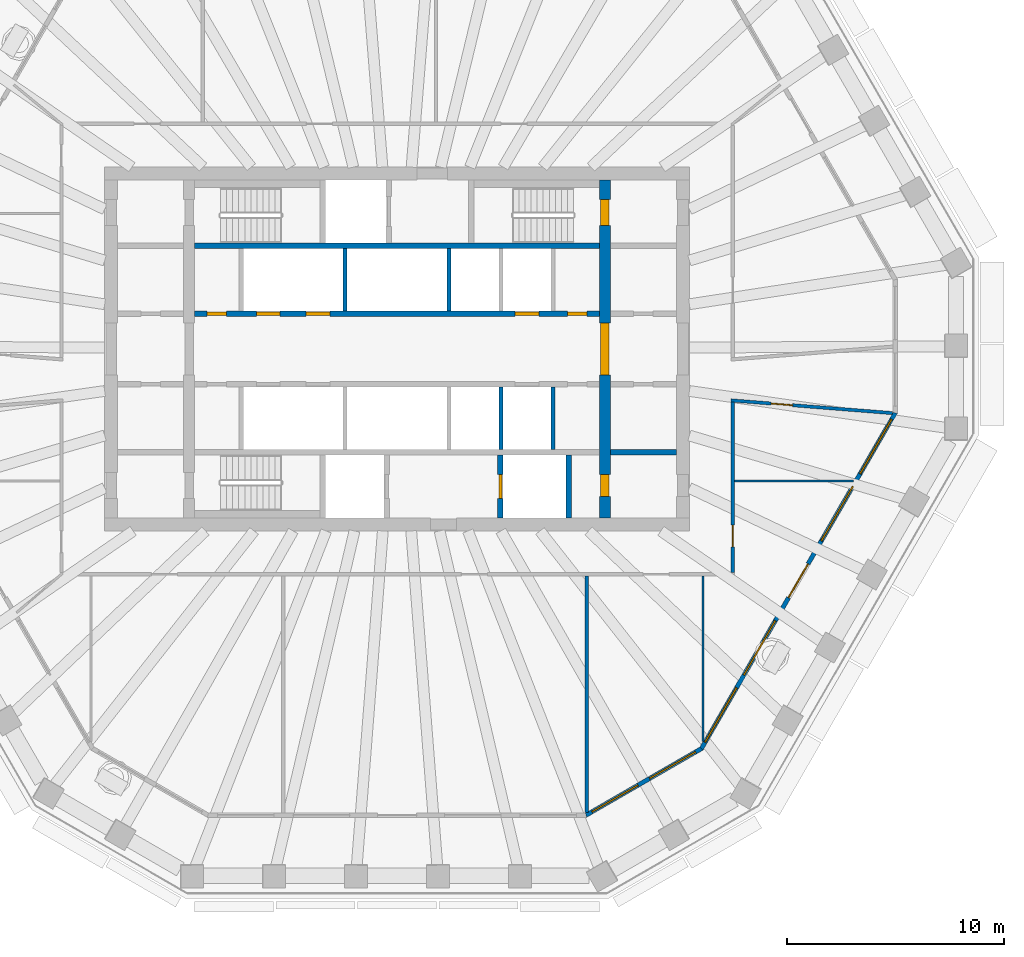
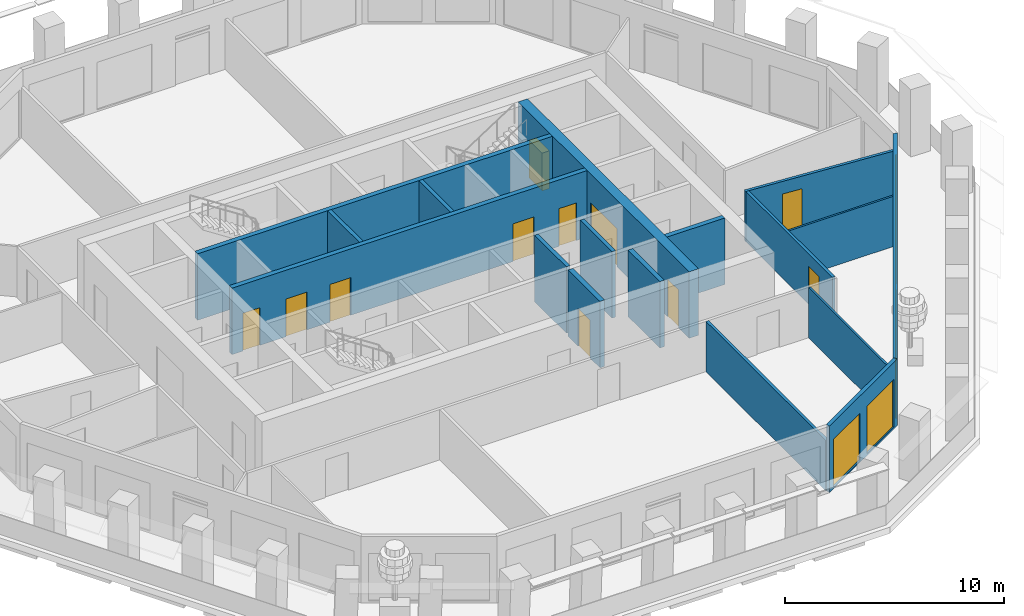
# One storey, part 5 of 12: 17 walls, 12 doors, 7 windows, 19 openings.
"""IFC4 building model written with IfcOpenShell, lengths in metres."""

from ifc_helpers import new_model, si_unit, direction, frame, frame_2d, origin, place, context, subcontext, project, spatial, polyline, rectangle, outline, extrude, material, layer, layer_set, type_object, element, fill, save


model = new_model("IFC4")

# Units and contexts
model_context = context("Model", 3, precision=1e-05, world=origin(), true_north=direction((0.0, 1.0)))
body_context = subcontext(model_context, "Body", "Model", "MODEL_VIEW")
ifc_project = project(units=[si_unit("LENGTHUNIT", "METRE"), si_unit("AREAUNIT", "SQUARE_METRE"), si_unit("VOLUMEUNIT", "CUBIC_METRE"), si_unit("PLANEANGLEUNIT", "RADIAN"), si_unit("MASSUNIT", "GRAM", prefix="KILO")], contexts=[model_context])

# Site, building, storey
site_placement = place(None, origin())
site = spatial("IfcSite", under=ifc_project, at=site_placement, CompositionType="ELEMENT")
building_placement = place(site_placement, origin())
building = spatial("IfcBuilding", under=site, at=building_placement, Name="Frailejon Research Tower", CompositionType="ELEMENT")
storey_placement = place(building_placement, frame((0.0, 0.0, 215.39990234375)))
storey = spatial("IfcBuildingStorey", under=building, at=storey_placement, Name="L46", CompositionType="ELEMENT", Elevation=215.39990234375)

# Wall, openings, doors
ifc_material_1 = material(Name="Concrete C60/75", Category="concrete")
ifc_layer_1 = layer(ifc_material_1, 0.5)
ifc_layer_set_1 = layer_set([ifc_layer_1], Name="Core shear wall 500 C60/75")
wall_type_1 = type_object("IfcWallType", Name="Core shear wall 500 C60/75", PredefinedType="SHEAR", material=ifc_layer_set_1)
wall_1_placement = place(storey_placement, frame((9.60009765625, -7.800048828125, 0.0), z_axis=(0.0, 0.0, 1.0), x_axis=(0.0, 1.0, 0.0)))
wall_1 = element("IfcWall", 1, at=wall_1_placement, inside=storey, type_object=wall_type_1, Name="Core shear wall", PredefinedType="SHEAR", context=body_context, shape_type="SweptSolid", body=[
    extrude(rectangle(XDim=15.60009765625, YDim=0.5, at=frame_2d((7.800048828125, 0.0))), origin(), (0.0, 0.0, 1.0), 3.7001953125),
])
opening_1_placement = place(wall_1_placement, frame((6.60009765625, 0.0, 0.0)))
opening_1 = element("IfcOpeningElement", 2, at=opening_1_placement, cuts=wall_1, Name="Opening D2", PredefinedType="OPENING", context=body_context, shape_type="SweptSolid", body=[
    extrude(rectangle(XDim=2.39990234375, YDim=2.10009765625, at=frame_2d((1.199951171875, 1.050048828125))), frame((0.0, 0.260009765625, 0.0), z_axis=(0.0, -1.0, 0.0), x_axis=(1.0, 0.0, 0.0)), (0.0, 0.0, 1.0), 0.52001953125),
])
opening_2_placement = place(wall_1_placement, frame((13.5, 0.0, 0.0)))
opening_2 = element("IfcOpeningElement", 3, at=opening_2_placement, cuts=wall_1, Name="Opening D1", PredefinedType="OPENING", context=body_context, shape_type="SweptSolid", body=[
    extrude(rectangle(XDim=1.199951171875, YDim=2.10009765625, at=frame_2d((0.60009765625, 1.050048828125))), frame((0.0, 0.260009765625, 0.0), z_axis=(0.0, -1.0, 0.0), x_axis=(1.0, 0.0, 0.0)), (0.0, 0.0, 1.0), 0.52001953125),
])
opening_3_placement = place(wall_1_placement, frame((1.0, 0.0, 0.0)))
opening_3 = element("IfcOpeningElement", 4, at=opening_3_placement, cuts=wall_1, Name="Opening D4", PredefinedType="OPENING", context=body_context, shape_type="SweptSolid", body=[
    extrude(rectangle(XDim=1.0, YDim=2.10009765625, at=frame_2d((0.5, 1.050048828125))), frame((0.0, 0.260009765625, 0.0), z_axis=(0.0, -1.0, 0.0), x_axis=(1.0, 0.0, 0.0)), (0.0, 0.0, 1.0), 0.52001953125),
])
ifc_material_2 = material(Name="Steel", Category="steel")
door_type_1 = type_object("IfcDoorType", Name="Lobby double door", OperationType="DOUBLE_DOOR_SINGLE_SWING", PredefinedType="DOOR", material=ifc_material_2)
door_1_placement = place(opening_1_placement, origin())
door_1 = element("IfcDoor", 5, at=door_1_placement, inside=storey, type_object=door_type_1, Name="Lobby door", OperationType="DOUBLE_DOOR_SINGLE_SWING", OverallHeight=2.10009765625, OverallWidth=2.39990234375, PredefinedType="DOOR", context=body_context, shape_type="SweptSolid", body=[
    extrude(rectangle(XDim=2.39990234375, YDim=2.10009765625, at=frame_2d((1.199951171875, 1.050048828125))), frame((0.0, 0.199951171875, 0.0), z_axis=(0.0, -1.0, 0.0), x_axis=(1.0, 0.0, 0.0)), (0.0, 0.0, 1.0), 0.39990234375),
])
fill(opening_1, door_1)
ifc_material_3 = material(Name="Steel", Category="steel")
door_type_2 = type_object("IfcDoorType", Name="Service door", OperationType="SINGLE_SWING_LEFT", PredefinedType="DOOR", material=ifc_material_3)
door_2_placement = place(opening_3_placement, origin())
door_2 = element("IfcDoor", 6, at=door_2_placement, inside=storey, type_object=door_type_2, Name="Riser door", OperationType="SINGLE_SWING_RIGHT", OverallHeight=2.10009765625, OverallWidth=1.0, PredefinedType="DOOR", context=body_context, shape_type="SweptSolid", body=[
    extrude(rectangle(XDim=1.0, YDim=2.10009765625, at=frame_2d((0.5, 1.050048828125))), frame((0.0, 0.199951171875, 0.0), z_axis=(0.0, -1.0, 0.0), x_axis=(1.0, 0.0, 0.0)), (0.0, 0.0, 1.0), 0.39990234375),
])
fill(opening_3, door_2)
ifc_material_4 = material(Name="Steel", Category="steel")
door_type_3 = type_object("IfcDoorType", Name="Stair door", OperationType="SINGLE_SWING_LEFT", PredefinedType="DOOR", material=ifc_material_4)
door_3_placement = place(opening_2_placement, origin())
door_3 = element("IfcDoor", 7, at=door_3_placement, inside=storey, type_object=door_type_3, Name="Stair door ST3", OperationType="SINGLE_SWING_RIGHT", OverallHeight=2.10009765625, OverallWidth=1.199951171875, PredefinedType="DOOR", context=body_context, shape_type="SweptSolid", body=[
    extrude(rectangle(XDim=1.199951171875, YDim=2.10009765625, at=frame_2d((0.60009765625, 1.050048828125))), frame((0.0, 0.199951171875, 0.0), z_axis=(0.0, -1.0, 0.0), x_axis=(1.0, 0.0, 0.0)), (0.0, 0.0, 1.0), 0.39990234375),
])
fill(opening_2, door_3)

# Wall, opening, door
ifc_material_5 = material(Name="Gypsum board and masonry partition", Category="masonry")
ifc_layer_2 = layer(ifc_material_5, 0.14990234375)
ifc_layer_set_2 = layer_set([ifc_layer_2], Name="Corridor wall EI 60, gypsum on steel studs 150")
wall_type_2 = type_object("IfcWallType", Name="Corridor wall EI 60, gypsum on steel studs 150", PredefinedType="PARTITIONING", material=ifc_layer_set_2)
wall_2_placement = place(storey_placement, frame((15.5, -10.324951171875, 0.0), z_axis=(0.0, 0.0, 1.0), x_axis=(0.0, 1.0, 0.0)))
wall_2 = element("IfcWall", 8, at=wall_2_placement, inside=storey, type_object=wall_type_2, Name="T:IW:L46:001", PredefinedType="PARTITIONING", context=body_context, shape_type="SweptSolid", body=[
    extrude(rectangle(XDim=7.8740234375, YDim=0.14990234375, at=frame_2d((3.93701171875, 0.0))), origin(), (0.0, 0.0, 1.0), 2.800048828125),
])
opening_4_placement = place(wall_2_placement, frame((1.189697265625, 0.0, 0.0)))
opening_4 = element("IfcOpeningElement", 9, at=opening_4_placement, cuts=wall_2, Name="Opening D1960", PredefinedType="OPENING", context=body_context, shape_type="SweptSolid", body=[
    extrude(rectangle(XDim=1.0, YDim=2.10009765625, at=frame_2d((0.5, 1.050048828125))), frame((0.0, 0.0849609375, 0.0), z_axis=(0.0, -1.0, 0.0), x_axis=(1.0, 0.0, 0.0)), (0.0, 0.0, 1.0), 0.169921875),
])
ifc_material_6 = material(Name="Timber door leaf", Category="wood")
door_type_4 = type_object("IfcDoorType", Name="Door single leaf, timber, steel frame 1000", OperationType="NOTDEFINED", PredefinedType="DOOR", material=ifc_material_6)
door_4_placement = place(opening_4_placement, origin())
door_4 = element("IfcDoor", 10, at=door_4_placement, inside=storey, type_object=door_type_4, Name="D1960", OperationType="SINGLE_SWING_RIGHT", OverallHeight=2.10009765625, OverallWidth=1.0, PredefinedType="DOOR", context=body_context, shape_type="SweptSolid", body=[
    extrude(rectangle(XDim=1.0, YDim=2.10009765625, at=frame_2d((0.5, 1.050048828125))), frame((0.0, 0.02490234375, 0.0), z_axis=(0.0, -1.0, 0.0), x_axis=(1.0, 0.0, 0.0)), (0.0, 0.0, 1.0), 0.050048828125),
])
fill(opening_4, door_4)

wall_3_placement = place(storey_placement, frame((15.42529296875, -2.3701171875, 0.0), z_axis=(0.0, 0.0, 1.0), x_axis=(0.996886755429, -0.078846666706, 0.0)))
wall_3 = element("IfcWall", 11, at=wall_3_placement, inside=storey, type_object=wall_type_2, Name="T:IW:L46:010", PredefinedType="PARTITIONING", context=body_context, shape_type="SweptSolid", body=[
    extrude(rectangle(XDim=7.48388671875, YDim=0.14990234375, at=frame_2d((3.741943359375, 0.0))), origin(), (0.0, 0.0, 1.0), 2.800048828125),
])
opening_5_placement = place(wall_3_placement, frame((1.852294921875, 0.0, 0.0)))
opening_5 = element("IfcOpeningElement", 12, at=opening_5_placement, cuts=wall_3, Name="Opening D1961", PredefinedType="OPENING", context=body_context, shape_type="SweptSolid", body=[
    extrude(rectangle(XDim=1.0, YDim=2.10009765625, at=frame_2d((0.5, 1.050048828125))), frame((0.0, 0.0849609375, 0.0), z_axis=(0.0, -1.0, 0.0), x_axis=(1.0, 0.0, 0.0)), (0.0, 0.0, 1.0), 0.169921875),
])
door_5_placement = place(opening_5_placement, origin())
door_5 = element("IfcDoor", 13, at=door_5_placement, inside=storey, type_object=door_type_4, Name="D1961", OperationType="SINGLE_SWING_RIGHT", OverallHeight=2.10009765625, OverallWidth=1.0, PredefinedType="DOOR", context=body_context, shape_type="SweptSolid", body=[
    extrude(rectangle(XDim=1.0, YDim=2.10009765625, at=frame_2d((0.5, 1.050048828125))), frame((0.0, 0.02490234375, 0.0), z_axis=(0.0, -1.0, 0.0), x_axis=(1.0, 0.0, 0.0)), (0.0, 0.0, 1.0), 0.050048828125),
])
fill(opening_5, door_5)

# Walls
ifc_material_7 = material(Name="Gypsum board and masonry partition", Category="masonry")
ifc_layer_3 = layer(ifc_material_7, 0.14990234375)
ifc_layer_set_3 = layer_set([ifc_layer_3], Name="Laboratory partition, blockwork 150")
wall_type_3 = type_object("IfcWallType", Name="Laboratory partition, blockwork 150", PredefinedType="PARTITIONING", material=ifc_layer_set_3)
wall_4_placement = place(storey_placement, frame((8.757080078125, -21.394775390625, 0.0), z_axis=(0.0, 0.0, 1.0), x_axis=(0.0, 1.0, 0.0)))
element("IfcWall", 14, at=wall_4_placement, inside=storey, type_object=wall_type_3, Name="T:IW:L46:014", PredefinedType="PARTITIONING", context=body_context, shape_type="SweptSolid", body=[
    extrude(rectangle(XDim=10.919677734375, YDim=0.14990234375, at=frame_2d((5.4599609375, 0.0))), origin(), (0.0, 0.0, 1.0), 2.800048828125),
])
ifc_material_8 = material(Name="Gypsum board and masonry partition", Category="masonry")
ifc_layer_4 = layer(ifc_material_8, 0.10009765625)
ifc_layer_set_4 = layer_set([ifc_layer_4], Name="Partition, gypsum on steel studs 100")
wall_type_4 = type_object("IfcWallType", Name="Partition, gypsum on steel studs 100", PredefinedType="PARTITIONING", material=ifc_layer_set_4)
wall_5_placement = place(storey_placement, frame((15.574951171875, -6.08642578125, 0.0), z_axis=(0.0, 0.0, 1.0), x_axis=(1.0, 0.0, 0.0)))
element("IfcWall", 15, at=wall_5_placement, inside=storey, type_object=wall_type_4, Name="T:IW:L46:019", PredefinedType="PARTITIONING", context=body_context, shape_type="SweptSolid", body=[
    extrude(rectangle(XDim=5.506103515625, YDim=0.10009765625, at=frame_2d((2.7529296875, 0.0))), origin(), (0.0, 0.0, 1.0), 2.800048828125),
])
wall_6_placement = place(storey_placement, frame((14.132080078125, -18.122314453125, 0.0), z_axis=(0.0, 0.0, 1.0), x_axis=(0.0, 1.0, 0.0)))
element("IfcWall", 16, at=wall_6_placement, inside=storey, type_object=wall_type_4, Name="T:IW:L46:022", PredefinedType="PARTITIONING", context=body_context, shape_type="SweptSolid", body=[
    extrude(rectangle(XDim=7.647216796875, YDim=0.10009765625, at=frame_2d((3.82373046875, 0.0))), origin(), (0.0, 0.0, 1.0), 2.800048828125),
])
ifc_material_9 = material(Name="Concrete C60/75", Category="concrete")
ifc_layer_5 = layer(ifc_material_9, 0.199951171875)
ifc_layer_set_5 = layer_set([ifc_layer_5], Name="Shaft wall 200 C60/75")
wall_type_5 = type_object("IfcWallType", Name="Shaft wall 200 C60/75", PredefinedType="SOLIDWALL", material=ifc_layer_set_5)
for number, where, z_axis, x_axis, name in (
    (17, (-2.39990234375, 1.75, 0.0), (0.0, 0.0, 1.0), (0.0, 1.0, 0.0), "Shaft wall"),
    (18, (2.39990234375, 1.75, 0.0), (0.0, 0.0, 1.0), (0.0, 1.0, 0.0), "Shaft wall"),
    (19, (4.800048828125, -4.64990234375, 0.0), (0.0, 0.0, 1.0), (0.0, 1.0, 0.0), "Shaft wall"),
    (20, (7.199951171875, -4.64990234375, 0.0), (0.0, 0.0, 1.0), (0.0, 1.0, 0.0), "Shaft wall"),
):
    element("IfcWall", number, at=place(storey_placement, frame(where, z_axis=z_axis, x_axis=x_axis)), inside=storey, type_object=wall_type_5, Name=name, PredefinedType="SOLIDWALL", context=body_context, shape_type="SweptSolid", body=[
        extrude(rectangle(XDim=2.89990234375, YDim=0.199951171875, at=frame_2d((1.449951171875, 0.0))), origin(), (0.0, 0.0, 1.0), 3.7001953125),
    ])

# Wall, openings, doors
ifc_material_10 = material(Name="Concrete C60/75", Category="concrete")
ifc_layer_6 = layer(ifc_material_10, 0.25)
ifc_layer_set_6 = layer_set([ifc_layer_6], Name="Shaft wall 250 C60/75")
wall_type_6 = type_object("IfcWallType", Name="Shaft wall 250 C60/75", PredefinedType="SOLIDWALL", material=ifc_layer_set_6)
wall_7_placement = place(storey_placement, frame((-9.35009765625, 1.625, 0.0), z_axis=(0.0, 0.0, 1.0), x_axis=(1.0, 0.0, 0.0)))
wall_7 = element("IfcWall", 21, at=wall_7_placement, inside=storey, type_object=wall_type_6, Name="Shaft wall", PredefinedType="SOLIDWALL", context=body_context, shape_type="SweptSolid", body=[
    extrude(rectangle(XDim=18.7001953125, YDim=0.25, at=frame_2d((9.35009765625, 0.0))), origin(), (0.0, 0.0, 1.0), 3.7001953125),
])
opening_6_placement = place(wall_7_placement, frame((2.85009765625, 0.0, 0.0)))
opening_6 = element("IfcOpeningElement", 22, at=opening_6_placement, cuts=wall_7, Name="Opening LD", PredefinedType="OPENING", context=body_context, shape_type="SweptSolid", body=[
    extrude(rectangle(XDim=1.10009765625, YDim=2.10009765625, at=frame_2d((0.550048828125, 1.050048828125))), frame((0.0, 0.135009765625, 0.0), z_axis=(0.0, -1.0, 0.0), x_axis=(1.0, 0.0, 0.0)), (0.0, 0.0, 1.0), 0.27001953125),
])
opening_7_placement = place(wall_7_placement, frame((5.14990234375, 0.0, 0.0)))
opening_7 = element("IfcOpeningElement", 23, at=opening_7_placement, cuts=wall_7, Name="Opening LD", PredefinedType="OPENING", context=body_context, shape_type="SweptSolid", body=[
    extrude(rectangle(XDim=1.10009765625, YDim=2.10009765625, at=frame_2d((0.550048828125, 1.050048828125))), frame((0.0, 0.135009765625, 0.0), z_axis=(0.0, -1.0, 0.0), x_axis=(1.0, 0.0, 0.0)), (0.0, 0.0, 1.0), 0.27001953125),
])
opening_8_placement = place(wall_7_placement, frame((14.800048828125, 0.0, 0.0)))
opening_8 = element("IfcOpeningElement", 24, at=opening_8_placement, cuts=wall_7, Name="Opening LD", PredefinedType="OPENING", context=body_context, shape_type="SweptSolid", body=[
    extrude(rectangle(XDim=1.10009765625, YDim=2.10009765625, at=frame_2d((0.550048828125, 1.050048828125))), frame((0.0, 0.135009765625, 0.0), z_axis=(0.0, -1.0, 0.0), x_axis=(1.0, 0.0, 0.0)), (0.0, 0.0, 1.0), 0.27001953125),
])
opening_9_placement = place(wall_7_placement, frame((0.574951171875, 0.0, 0.0)))
opening_9 = element("IfcOpeningElement", 25, at=opening_9_placement, cuts=wall_7, Name="Opening D8", PredefinedType="OPENING", context=body_context, shape_type="SweptSolid", body=[
    extrude(rectangle(XDim=0.89990234375, YDim=2.10009765625, at=frame_2d((0.449951171875, 1.050048828125))), frame((0.0, 0.135009765625, 0.0), z_axis=(0.0, -1.0, 0.0), x_axis=(1.0, 0.0, 0.0)), (0.0, 0.0, 1.0), 0.27001953125),
])
opening_10_placement = place(wall_7_placement, frame((17.22509765625, 0.0, 0.0)))
opening_10 = element("IfcOpeningElement", 26, at=opening_10_placement, cuts=wall_7, Name="Opening D8", PredefinedType="OPENING", context=body_context, shape_type="SweptSolid", body=[
    extrude(rectangle(XDim=0.89990234375, YDim=2.10009765625, at=frame_2d((0.449951171875, 1.050048828125))), frame((0.0, 0.135009765625, 0.0), z_axis=(0.0, -1.0, 0.0), x_axis=(1.0, 0.0, 0.0)), (0.0, 0.0, 1.0), 0.27001953125),
])
ifc_material_11 = material(Name="Steel", Category="steel")
door_type_5 = type_object("IfcDoorType", Name="Core room door", OperationType="SINGLE_SWING_LEFT", PredefinedType="DOOR", material=ifc_material_11)
door_6_placement = place(opening_9_placement, origin())
door_6 = element("IfcDoor", 27, at=door_6_placement, inside=storey, type_object=door_type_5, Name="Room door", OperationType="SINGLE_SWING_LEFT", OverallHeight=2.10009765625, OverallWidth=0.89990234375, PredefinedType="DOOR", context=body_context, shape_type="SweptSolid", body=[
    extrude(rectangle(XDim=0.89990234375, YDim=2.10009765625, at=frame_2d((0.449951171875, 1.050048828125))), frame((0.0, 0.074951171875, 0.0), z_axis=(0.0, -1.0, 0.0), x_axis=(1.0, 0.0, 0.0)), (0.0, 0.0, 1.0), 0.14990234375),
])
fill(opening_9, door_6)
door_7_placement = place(opening_10_placement, origin())
door_7 = element("IfcDoor", 28, at=door_7_placement, inside=storey, type_object=door_type_5, Name="Room door", OperationType="SINGLE_SWING_RIGHT", OverallHeight=2.10009765625, OverallWidth=0.89990234375, PredefinedType="DOOR", context=body_context, shape_type="SweptSolid", body=[
    extrude(rectangle(XDim=0.89990234375, YDim=2.10009765625, at=frame_2d((0.449951171875, 1.050048828125))), frame((0.0, 0.074951171875, 0.0), z_axis=(0.0, -1.0, 0.0), x_axis=(1.0, 0.0, 0.0)), (0.0, 0.0, 1.0), 0.14990234375),
])
fill(opening_10, door_7)
ifc_material_12 = material(Name="Steel", Category="steel")
door_type_6 = type_object("IfcDoorType", Name="Lift landing door", OperationType="DOUBLE_DOOR_SLIDING", PredefinedType="DOOR", material=ifc_material_12)
door_8_placement = place(opening_6_placement, origin())
door_8 = element("IfcDoor", 29, at=door_8_placement, inside=storey, type_object=door_type_6, Name="Lift landing door", OperationType="DOUBLE_DOOR_SLIDING", OverallHeight=2.10009765625, OverallWidth=1.10009765625, PredefinedType="DOOR", context=body_context, shape_type="SweptSolid", body=[
    extrude(rectangle(XDim=1.10009765625, YDim=2.10009765625, at=frame_2d((0.550048828125, 1.050048828125))), frame((0.0, 0.074951171875, 0.0), z_axis=(0.0, -1.0, 0.0), x_axis=(1.0, 0.0, 0.0)), (0.0, 0.0, 1.0), 0.14990234375),
])
fill(opening_6, door_8)
door_9_placement = place(opening_7_placement, origin())
door_9 = element("IfcDoor", 30, at=door_9_placement, inside=storey, type_object=door_type_6, Name="Lift landing door", OperationType="DOUBLE_DOOR_SLIDING", OverallHeight=2.10009765625, OverallWidth=1.10009765625, PredefinedType="DOOR", context=body_context, shape_type="SweptSolid", body=[
    extrude(rectangle(XDim=1.10009765625, YDim=2.10009765625, at=frame_2d((0.550048828125, 1.050048828125))), frame((0.0, 0.074951171875, 0.0), z_axis=(0.0, -1.0, 0.0), x_axis=(1.0, 0.0, 0.0)), (0.0, 0.0, 1.0), 0.14990234375),
])
fill(opening_7, door_9)
door_10_placement = place(opening_8_placement, origin())
door_10 = element("IfcDoor", 31, at=door_10_placement, inside=storey, type_object=door_type_6, Name="Lift landing door", OperationType="DOUBLE_DOOR_SLIDING", OverallHeight=2.10009765625, OverallWidth=1.10009765625, PredefinedType="DOOR", context=body_context, shape_type="SweptSolid", body=[
    extrude(rectangle(XDim=1.10009765625, YDim=2.10009765625, at=frame_2d((0.550048828125, 1.050048828125))), frame((0.0, 0.074951171875, 0.0), z_axis=(0.0, -1.0, 0.0), x_axis=(1.0, 0.0, 0.0)), (0.0, 0.0, 1.0), 0.14990234375),
])
fill(opening_8, door_10)

# Walls
wall_8_placement = place(storey_placement, frame((-9.35009765625, 4.77490234375, 0.0), z_axis=(0.0, 0.0, 1.0), x_axis=(1.0, 0.0, 0.0)))
element("IfcWall", 32, at=wall_8_placement, inside=storey, type_object=wall_type_6, Name="Shaft wall", PredefinedType="SOLIDWALL", context=body_context, shape_type="SweptSolid", body=[
    extrude(rectangle(XDim=18.7001953125, YDim=0.25, at=frame_2d((9.35009765625, 0.0))), origin(), (0.0, 0.0, 1.0), 3.7001953125),
])
wall_9_placement = place(storey_placement, frame((9.85009765625, -4.77490234375, 0.0), z_axis=(0.0, 0.0, 1.0), x_axis=(1.0, 0.0, 0.0)))
element("IfcWall", 33, at=wall_9_placement, inside=storey, type_object=wall_type_6, Name="Shaft wall", PredefinedType="SOLIDWALL", context=body_context, shape_type="SweptSolid", body=[
    extrude(rectangle(XDim=3.0498046875, YDim=0.25, at=frame_2d((1.52490234375, 0.0))), origin(), (0.0, 0.0, 1.0), 3.7001953125),
])

# Wall, opening, door
wall_10_placement = place(storey_placement, frame((4.77490234375, -7.800048828125, 0.0), z_axis=(0.0, 0.0, 1.0), x_axis=(0.0, 1.0, 0.0)))
wall_10 = element("IfcWall", 34, at=wall_10_placement, inside=storey, type_object=wall_type_6, Name="Shaft wall", PredefinedType="SOLIDWALL", context=body_context, shape_type="SweptSolid", body=[
    extrude(rectangle(XDim=2.900146484375, YDim=0.25, at=frame_2d((1.4501953125, 0.0))), origin(), (0.0, 0.0, 1.0), 3.7001953125),
])
opening_11_placement = place(wall_10_placement, frame((0.89990234375, 0.0, 0.0)))
opening_11 = element("IfcOpeningElement", 35, at=opening_11_placement, cuts=wall_10, Name="Opening LD", PredefinedType="OPENING", context=body_context, shape_type="SweptSolid", body=[
    extrude(rectangle(XDim=1.10009765625, YDim=2.10009765625, at=frame_2d((0.550048828125, 1.050048828125))), frame((0.0, 0.135009765625, 0.0), z_axis=(0.0, -1.0, 0.0), x_axis=(1.0, 0.0, 0.0)), (0.0, 0.0, 1.0), 0.27001953125),
])
door_11_placement = place(opening_11_placement, origin())
door_11 = element("IfcDoor", 36, at=door_11_placement, inside=storey, type_object=door_type_6, Name="Lift landing door", OperationType="DOUBLE_DOOR_SLIDING", OverallHeight=2.10009765625, OverallWidth=1.10009765625, PredefinedType="DOOR", context=body_context, shape_type="SweptSolid", body=[
    extrude(rectangle(XDim=1.10009765625, YDim=2.10009765625, at=frame_2d((0.550048828125, 1.050048828125))), frame((0.0, 0.074951171875, 0.0), z_axis=(0.0, -1.0, 0.0), x_axis=(1.0, 0.0, 0.0)), (0.0, 0.0, 1.0), 0.14990234375),
])
fill(opening_11, door_11)

# Wall
wall_11_placement = place(storey_placement, frame((7.925048828125, -7.800048828125, 0.0), z_axis=(0.0, 0.0, 1.0), x_axis=(0.0, 1.0, 0.0)))
element("IfcWall", 37, at=wall_11_placement, inside=storey, type_object=wall_type_6, Name="Shaft wall", PredefinedType="SOLIDWALL", context=body_context, shape_type="SweptSolid", body=[
    extrude(rectangle(XDim=2.900146484375, YDim=0.25, at=frame_2d((1.4501953125, 0.0))), origin(), (0.0, 0.0, 1.0), 3.7001953125),
])

# Wall, openings, windows
ifc_material_13 = material(Name="Concrete C40/50 precast window wall panel", Category="concrete")
ifc_layer_7 = layer(ifc_material_13, 0.199951171875)
ifc_layer_set_7 = layer_set([ifc_layer_7], Name="Window wall 200")
wall_type_7 = type_object("IfcWallType", Name="Window wall 200", PredefinedType="SOLIDWALL", material=ifc_layer_set_7)
wall_12_placement = place(storey_placement, frame((8.730224609375, -21.525634765625, 0.0), z_axis=(0.0, 0.0, 1.0), x_axis=(0.866029647142, 0.499992650217, 0.0)))
wall_12 = element("IfcWall", 38, at=wall_12_placement, inside=storey, type_object=wall_type_7, Name="Exterior wall L46", PredefinedType="SOLIDWALL", context=body_context, shape_type="SweptSolid", body=[
    extrude(outline(polyline([(-0.02685546875, -0.10009765625), (1.007568359375, -0.10009765625), (2.0419921875, -0.10009765625), (3.076416015625, -0.10009765625), (4.11083984375, -0.10009765625), (5.145263671875, -0.10009765625), (6.1796875, -0.10009765625), (6.1259765625, 0.10009765625), (5.109375, 0.10009765625), (4.093017578125, 0.10009765625), (3.076416015625, 0.10009765625), (2.059814453125, 0.10009765625), (1.04345703125, 0.10009765625), (0.02685546875, 0.10009765625), (-0.02685546875, -0.10009765625)])), origin(), (0.0, 0.0, 1.0), 3.7001953125),
])
opening_12_placement = place(wall_12_placement, frame((0.313232421875, 0.0, 0.10009765625)))
opening_12 = element("IfcOpeningElement", 39, at=opening_12_placement, cuts=wall_12, Name="Opening W17", PredefinedType="OPENING", context=body_context, shape_type="SweptSolid", body=[
    extrude(rectangle(XDim=2.449951171875, YDim=2.64990234375, at=frame_2d((1.22509765625, 1.324951171875))), frame((0.0, 0.10986328125, 0.0), z_axis=(0.0, -1.0, 0.0), x_axis=(1.0, 0.0, 0.0)), (0.0, 0.0, 1.0), 0.219970703125),
])
opening_13_placement = place(wall_12_placement, frame((3.3896484375, 0.0, 0.10009765625)))
opening_13 = element("IfcOpeningElement", 40, at=opening_13_placement, cuts=wall_12, Name="Opening W17", PredefinedType="OPENING", context=body_context, shape_type="SweptSolid", body=[
    extrude(rectangle(XDim=2.449951171875, YDim=2.64990234375, at=frame_2d((1.22509765625, 1.324951171875))), frame((0.0, 0.10986328125, 0.0), z_axis=(0.0, -1.0, 0.0), x_axis=(1.0, 0.0, 0.0)), (0.0, 0.0, 1.0), 0.219970703125),
])
ifc_material_14 = material(Name="Aluminium framed double glazing", Category="aluminium")
window_type_1 = type_object("IfcWindowType", Name="Window 2450x2650", PartitioningType="SINGLE_PANEL", PredefinedType="WINDOW", material=ifc_material_14)
window_1_placement = place(opening_12_placement, origin())
window_1 = element("IfcWindow", 41, at=window_1_placement, inside=storey, type_object=window_type_1, Name="Window L46", OverallHeight=2.64990234375, OverallWidth=2.449951171875, PartitioningType="SINGLE_PANEL", PredefinedType="WINDOW", context=body_context, shape_type="SweptSolid", body=[
    extrude(rectangle(XDim=2.449951171875, YDim=2.64990234375, at=frame_2d((1.22509765625, 1.324951171875))), frame((0.0, 0.030029296875, 0.0), z_axis=(0.0, -1.0, 0.0), x_axis=(1.0, 0.0, 0.0)), (0.0, 0.0, 1.0), 0.06005859375),
])
fill(opening_12, window_1)
window_2_placement = place(opening_13_placement, origin())
window_2 = element("IfcWindow", 42, at=window_2_placement, inside=storey, type_object=window_type_1, Name="Window L46", OverallHeight=2.64990234375, OverallWidth=2.449951171875, PartitioningType="SINGLE_PANEL", PredefinedType="WINDOW", context=body_context, shape_type="SweptSolid", body=[
    extrude(rectangle(XDim=2.449951171875, YDim=2.64990234375, at=frame_2d((1.22509765625, 1.324951171875))), frame((0.0, 0.030029296875, 0.0), z_axis=(0.0, -1.0, 0.0), x_axis=(1.0, 0.0, 0.0)), (0.0, 0.0, 1.0), 0.06005859375),
])
fill(opening_13, window_2)

# Wall, openings, door, windows
wall_13_placement = place(storey_placement, frame((14.058837890625, -18.44921875, 0.0), z_axis=(0.0, 0.0, 1.0), x_axis=(0.500006652623, 0.866021562857, 0.0)))
wall_13 = element("IfcWall", 43, at=wall_13_placement, inside=storey, type_object=wall_type_7, Name="Exterior wall L46", PredefinedType="SOLIDWALL", context=body_context, shape_type="SweptSolid", body=[
    extrude(outline(polyline([(-0.02685546875, -0.10009765625), (1.029052734375, -0.10009765625), (2.0849609375, -0.10009765625), (3.140869140625, -0.10009765625), (4.19677734375, -0.10009765625), (5.25244140625, -0.10009765625), (6.308349609375, -0.10009765625), (7.3642578125, -0.10009765625), (8.420166015625, -0.10009765625), (9.47607421875, -0.10009765625), (10.531982421875, -0.10009765625), (11.587890625, -0.10009765625), (12.643798828125, -0.10009765625), (13.699462890625, -0.10009765625), (14.75537109375, -0.10009765625), (15.811279296875, -0.10009765625), (16.8671875, -0.10009765625), (17.923095703125, -0.10009765625), (17.869384765625, 0.10009765625), (16.81982421875, 0.10009765625), (15.770263671875, 0.10009765625), (14.720703125, 0.10009765625), (13.671142578125, 0.10009765625), (12.62158203125, 0.10009765625), (11.572021484375, 0.10009765625), (10.5224609375, 0.10009765625), (9.472900390625, 0.10009765625), (8.42333984375, 0.10009765625), (7.373779296875, 0.10009765625), (6.32421875, 0.10009765625), (5.274658203125, 0.10009765625), (4.22509765625, 0.10009765625), (3.175537109375, 0.10009765625), (2.1259765625, 0.10009765625), (1.076416015625, 0.10009765625), (0.02685546875, 0.10009765625), (-0.02685546875, -0.10009765625)])), origin(), (0.0, 0.0, 1.0), 3.7001953125),
])
opening_14_placement = place(wall_13_placement, frame((0.339599609375, 0.0, 0.10009765625)))
opening_14 = element("IfcOpeningElement", 44, at=opening_14_placement, cuts=wall_13, Name="Opening W20", PredefinedType="OPENING", context=body_context, shape_type="SweptSolid", body=[
    extrude(rectangle(XDim=2.89990234375, YDim=2.64990234375, at=frame_2d((1.449951171875, 1.324951171875))), frame((0.0, 0.10986328125, 0.0), z_axis=(0.0, -1.0, 0.0), x_axis=(1.0, 0.0, 0.0)), (0.0, 0.0, 1.0), 0.219970703125),
])
opening_15_placement = place(wall_13_placement, frame((3.918701171875, 0.0, 0.10009765625)))
opening_15 = element("IfcOpeningElement", 45, at=opening_15_placement, cuts=wall_13, Name="Opening W20", PredefinedType="OPENING", context=body_context, shape_type="SweptSolid", body=[
    extrude(rectangle(XDim=2.89990234375, YDim=2.64990234375, at=frame_2d((1.449951171875, 1.324951171875))), frame((0.0, 0.10986328125, 0.0), z_axis=(0.0, -1.0, 0.0), x_axis=(1.0, 0.0, 0.0)), (0.0, 0.0, 1.0), 0.219970703125),
])
opening_16_placement = place(wall_13_placement, frame((8.048095703125, 0.0, 0.0)))
opening_16 = element("IfcOpeningElement", 46, at=opening_16_placement, cuts=wall_13, Name="Opening LG46-6", PredefinedType="OPENING", context=body_context, shape_type="SweptSolid", body=[
    extrude(rectangle(XDim=1.800048828125, YDim=2.39990234375, at=frame_2d((0.89990234375, 1.199951171875))), frame((0.0, 0.10986328125, 0.0), z_axis=(0.0, -1.0, 0.0), x_axis=(1.0, 0.0, 0.0)), (0.0, 0.0, 1.0), 0.219970703125),
])
opening_17_placement = place(wall_13_placement, frame((8.048095703125, 0.0, 2.550048828125)))
opening_17 = element("IfcOpeningElement", 47, at=opening_17_placement, cuts=wall_13, Name="Opening W19", PredefinedType="OPENING", context=body_context, shape_type="SweptSolid", body=[
    extrude(rectangle(XDim=1.800048828125, YDim=0.199951171875, at=frame_2d((0.89990234375, 0.10009765625))), frame((0.0, 0.10986328125, 0.0), z_axis=(0.0, -1.0, 0.0), x_axis=(1.0, 0.0, 0.0)), (0.0, 0.0, 1.0), 0.219970703125),
])
opening_18_placement = place(wall_13_placement, frame((11.077392578125, 0.0, 0.10009765625)))
opening_18 = element("IfcOpeningElement", 48, at=opening_18_placement, cuts=wall_13, Name="Opening W20", PredefinedType="OPENING", context=body_context, shape_type="SweptSolid", body=[
    extrude(rectangle(XDim=2.89990234375, YDim=2.64990234375, at=frame_2d((1.449951171875, 1.324951171875))), frame((0.0, 0.10986328125, 0.0), z_axis=(0.0, -1.0, 0.0), x_axis=(1.0, 0.0, 0.0)), (0.0, 0.0, 1.0), 0.219970703125),
])
opening_19_placement = place(wall_13_placement, frame((14.656494140625, 0.0, 0.10009765625)))
opening_19 = element("IfcOpeningElement", 49, at=opening_19_placement, cuts=wall_13, Name="Opening W20", PredefinedType="OPENING", context=body_context, shape_type="SweptSolid", body=[
    extrude(rectangle(XDim=2.89990234375, YDim=2.64990234375, at=frame_2d((1.449951171875, 1.324951171875))), frame((0.0, 0.10986328125, 0.0), z_axis=(0.0, -1.0, 0.0), x_axis=(1.0, 0.0, 0.0)), (0.0, 0.0, 1.0), 0.219970703125),
])
ifc_material_15 = material(Name="Aluminium framed glazed door leaf", Category="aluminium")
door_type_7 = type_object("IfcDoorType", Name="Loggia door 1800x2400", OperationType="DOUBLE_DOOR_SINGLE_SWING", PredefinedType="DOOR", material=ifc_material_15)
door_12_placement = place(opening_16_placement, origin())
door_12 = element("IfcDoor", 50, at=door_12_placement, inside=storey, type_object=door_type_7, Name="Door LG46-6", OperationType="DOUBLE_DOOR_SINGLE_SWING", OverallHeight=2.39990234375, OverallWidth=1.800048828125, PredefinedType="DOOR", context=body_context, shape_type="SweptSolid", body=[
    extrude(rectangle(XDim=1.800048828125, YDim=2.39990234375, at=frame_2d((0.89990234375, 1.199951171875))), frame((0.0, 0.02490234375, 0.0), z_axis=(0.0, -1.0, 0.0), x_axis=(1.0, 0.0, 0.0)), (0.0, 0.0, 1.0), 0.050048828125),
])
fill(opening_16, door_12)
ifc_material_16 = material(Name="Aluminium framed double glazing", Category="aluminium")
window_type_2 = type_object("IfcWindowType", Name="Window 1800x200", PartitioningType="SINGLE_PANEL", PredefinedType="WINDOW", material=ifc_material_16)
window_3_placement = place(opening_17_placement, origin())
window_3 = element("IfcWindow", 51, at=window_3_placement, inside=storey, type_object=window_type_2, Name="Window L46", OverallHeight=0.199951171875, OverallWidth=1.800048828125, PartitioningType="SINGLE_PANEL", PredefinedType="WINDOW", context=body_context, shape_type="SweptSolid", body=[
    extrude(rectangle(XDim=1.800048828125, YDim=0.199951171875, at=frame_2d((0.89990234375, 0.10009765625))), frame((0.0, 0.030029296875, 0.0), z_axis=(0.0, -1.0, 0.0), x_axis=(1.0, 0.0, 0.0)), (0.0, 0.0, 1.0), 0.06005859375),
])
fill(opening_17, window_3)
ifc_material_17 = material(Name="Aluminium framed double glazing", Category="aluminium")
window_type_3 = type_object("IfcWindowType", Name="Window 2900x2650", PartitioningType="SINGLE_PANEL", PredefinedType="WINDOW", material=ifc_material_17)
window_4_placement = place(opening_14_placement, origin())
window_4 = element("IfcWindow", 52, at=window_4_placement, inside=storey, type_object=window_type_3, Name="Window L46", OverallHeight=2.64990234375, OverallWidth=2.89990234375, PartitioningType="SINGLE_PANEL", PredefinedType="WINDOW", context=body_context, shape_type="SweptSolid", body=[
    extrude(rectangle(XDim=2.89990234375, YDim=2.64990234375, at=frame_2d((1.449951171875, 1.324951171875))), frame((0.0, 0.030029296875, 0.0), z_axis=(0.0, -1.0, 0.0), x_axis=(1.0, 0.0, 0.0)), (0.0, 0.0, 1.0), 0.06005859375),
])
fill(opening_14, window_4)
window_5_placement = place(opening_15_placement, origin())
window_5 = element("IfcWindow", 53, at=window_5_placement, inside=storey, type_object=window_type_3, Name="Window L46", OverallHeight=2.64990234375, OverallWidth=2.89990234375, PartitioningType="SINGLE_PANEL", PredefinedType="WINDOW", context=body_context, shape_type="SweptSolid", body=[
    extrude(rectangle(XDim=2.89990234375, YDim=2.64990234375, at=frame_2d((1.449951171875, 1.324951171875))), frame((0.0, 0.030029296875, 0.0), z_axis=(0.0, -1.0, 0.0), x_axis=(1.0, 0.0, 0.0)), (0.0, 0.0, 1.0), 0.06005859375),
])
fill(opening_15, window_5)
window_6_placement = place(opening_18_placement, origin())
window_6 = element("IfcWindow", 54, at=window_6_placement, inside=storey, type_object=window_type_3, Name="Window L46", OverallHeight=2.64990234375, OverallWidth=2.89990234375, PartitioningType="SINGLE_PANEL", PredefinedType="WINDOW", context=body_context, shape_type="SweptSolid", body=[
    extrude(rectangle(XDim=2.89990234375, YDim=2.64990234375, at=frame_2d((1.449951171875, 1.324951171875))), frame((0.0, 0.030029296875, 0.0), z_axis=(0.0, -1.0, 0.0), x_axis=(1.0, 0.0, 0.0)), (0.0, 0.0, 1.0), 0.06005859375),
])
fill(opening_18, window_6)
window_7_placement = place(opening_19_placement, origin())
window_7 = element("IfcWindow", 55, at=window_7_placement, inside=storey, type_object=window_type_3, Name="Window L46", OverallHeight=2.64990234375, OverallWidth=2.89990234375, PartitioningType="SINGLE_PANEL", PredefinedType="WINDOW", context=body_context, shape_type="SweptSolid", body=[
    extrude(rectangle(XDim=2.89990234375, YDim=2.64990234375, at=frame_2d((1.449951171875, 1.324951171875))), frame((0.0, 0.030029296875, 0.0), z_axis=(0.0, -1.0, 0.0), x_axis=(1.0, 0.0, 0.0)), (0.0, 0.0, 1.0), 0.06005859375),
])
fill(opening_19, window_7)

save(model, "model.ifc")
